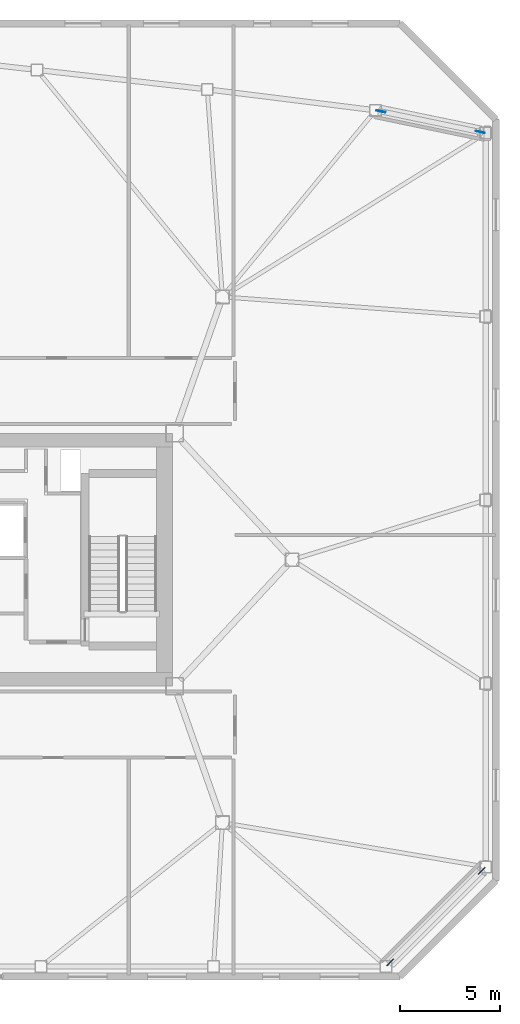
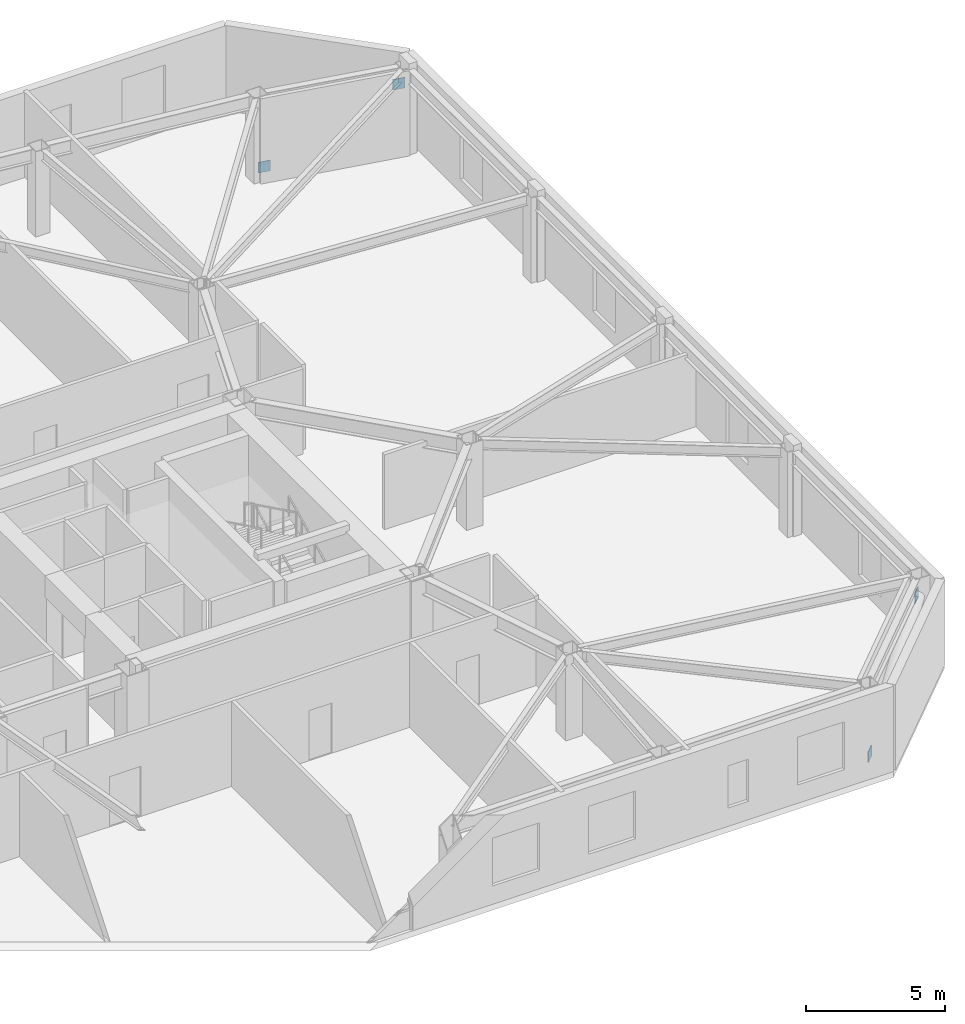
# One storey, part 17 of 18: 4 discrete accessories.
"""IFC4 building model written with IfcOpenShell, lengths in metres."""

from ifc_helpers import new_model, si_unit, direction, frame, origin, origin_2d, place, context, subcontext, project, spatial, rectangle, extrude, material, type_object, element, save


model = new_model("IFC4")

# Units and contexts
model_context = context("Model", 3, precision=1e-05, world=origin(), true_north=direction((0.0, 1.0)))
body_context = subcontext(model_context, "Body", "Model", "MODEL_VIEW")
ifc_project = project(units=[si_unit("LENGTHUNIT", "METRE"), si_unit("AREAUNIT", "SQUARE_METRE"), si_unit("VOLUMEUNIT", "CUBIC_METRE"), si_unit("PLANEANGLEUNIT", "RADIAN"), si_unit("MASSUNIT", "GRAM", prefix="KILO")], contexts=[model_context])

# Site, building, storey
site_placement = place(None, origin())
site = spatial("IfcSite", under=ifc_project, at=site_placement, CompositionType="ELEMENT")
building_placement = place(site_placement, origin())
building = spatial("IfcBuilding", under=site, at=building_placement, Name="Tavrogorsk Clinical Tower", CompositionType="ELEMENT")
storey_placement = place(building_placement, frame((0.0, 0.0, 200.199951171875)))
storey = spatial("IfcBuildingStorey", under=building, at=storey_placement, Name="L46", CompositionType="ELEMENT", Elevation=200.199951171875)

# Discrete accessories
ifc_material = material(Name="Structural steel S440", Category="steel")
discrete_accessory_type = type_object("IfcDiscreteAccessoryType", Name="GussetPlateBracket_25", PredefinedType="BRACKET", material=ifc_material)
for number, where, z_axis, x_axis, name in (
    (1, (32.922607421875, -20.217529296875, 0.18310546875), (0.0, 0.0, 1.0), (0.707106781187, 0.707106781187, 0.0), "L46 Brace Gusset Plate EXOCRN-L46-1-A"),
    (2, (37.517333984375, -15.62255859375, 2.7470703125), (0.0, 0.0, 1.0), (0.707106781187, 0.707106781187, 0.0), "L46 Brace Gusset Plate EXOCRN-L46-1-B"),
    (3, (32.461669921875, 22.509765625, 0.20654296875), (0.0, 0.0, 1.0), (0.979187402648, -0.202958198889, 0.0), "L46 Brace Gusset Plate EXOCRN-L46-2-A"),
    (4, (37.44970703125, 21.47607421875, 2.7236328125), (0.0, 0.0, 1.0), (0.979187402648, -0.202958198889, 0.0), "L46 Brace Gusset Plate EXOCRN-L46-2-B"),
):
    element("IfcDiscreteAccessory", number, at=place(storey_placement, frame(where, z_axis=z_axis, x_axis=x_axis)), inside=storey, type_object=discrete_accessory_type, Name=name, PredefinedType="BRACKET", context=body_context, shape_type="SweptSolid", body=[
        extrude(rectangle(XDim=0.4599609375, YDim=0.0400390625, at=origin_2d()), origin(), (0.0, 0.0, 1.0), 0.4599609375),
    ])

save(model, "model.ifc")
